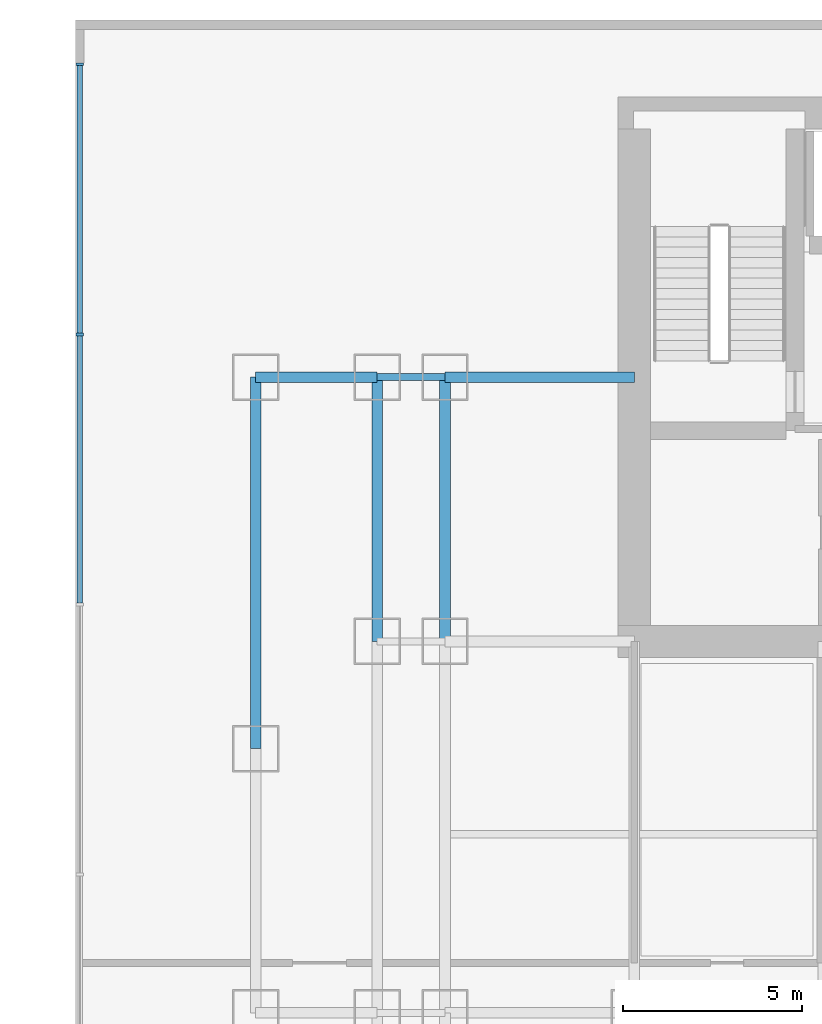
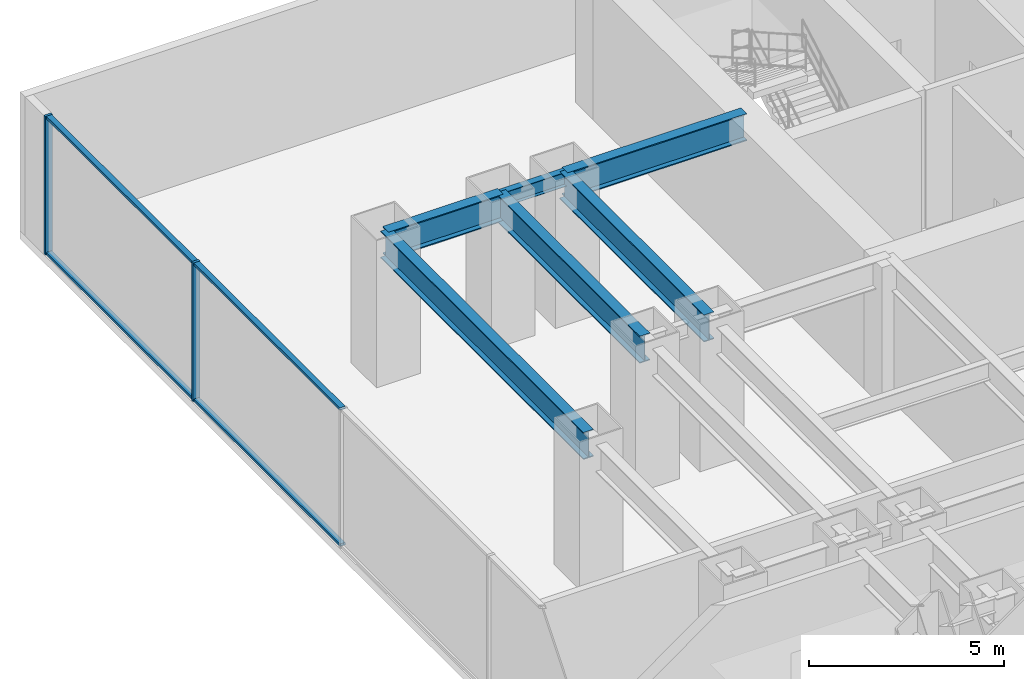
# One storey, part 5 of 13: 6 beams, 6 members, 1 element without a shape of its own.
"""IFC4 building model written with IfcOpenShell, lengths in metres."""

from ifc_helpers import new_model, si_unit, direction, frame, origin, origin_2d, place, context, subcontext, project, spatial, rectangle, i_section, extrude, source, transform, mapped, material, layer, layer_set, material_profile, profile_set, type_object, element, aggregate, save


model = new_model("IFC4")

# Units and contexts
model_context = context("Model", 3, precision=1e-05, world=origin(), true_north=direction((0.0, 1.0)))
body_context = subcontext(model_context, "Body", "Model", "MODEL_VIEW")
ifc_project = project(units=[si_unit("LENGTHUNIT", "METRE"), si_unit("AREAUNIT", "SQUARE_METRE"), si_unit("VOLUMEUNIT", "CUBIC_METRE"), si_unit("PLANEANGLEUNIT", "RADIAN"), si_unit("MASSUNIT", "GRAM", prefix="KILO")], contexts=[model_context])

# Site, building, storey
site_placement = place(None, origin())
site = spatial("IfcSite", under=ifc_project, at=site_placement, CompositionType="ELEMENT")
building_placement = place(site_placement, origin())
building = spatial("IfcBuilding", under=site, at=building_placement, Name="Qianlan Lanfeng Residences", CompositionType="ELEMENT")
storey_placement = place(building_placement, frame((0.0, 0.0, 14.39990234375)))
storey = spatial("IfcBuildingStorey", under=building, at=storey_placement, Name="L03", CompositionType="ELEMENT", Elevation=14.39990234375)

# Beams
ifc_material_1 = material(Name="Steel SN490B", Category="steel")
ifc_material_profile_1 = material_profile(ifc_material_1, i_section(OverallWidth=0.300048828125, OverallDepth=0.85009765625, WebThickness=0.01611328125, FlangeThickness=0.031982421875, at=origin_2d()), Name="H 850x300x16x32")
ifc_profile_set_1 = profile_set([ifc_material_profile_1], Name="Steel SN490B")
beam_type_1 = type_object("IfcBeamType", Name="G-1100", PredefinedType="BEAM", material=ifc_profile_set_1)
beam_1_placement = place(storey_placement, frame((0.0, 32.60009765625, 3.9150390625), z_axis=(1.0, 0.0, 0.0), x_axis=(0.0, 1.0, 0.0)))
element("IfcBeam", 1, at=beam_1_placement, inside=storey, type_object=beam_type_1, Name="Structural beam G-1100", PredefinedType="BEAM", context=body_context, shape_type="SweptSolid", body=[
    extrude(i_section(OverallWidth=0.300048828125, OverallDepth=0.85009765625, WebThickness=0.01611328125, FlangeThickness=0.031982421875, at=origin_2d()), origin(), (0.0, 0.0, 1.0), 3.39990234375),
])
beam_2_placement = place(storey_placement, frame((5.300048828125, 32.60009765625, 3.9150390625), z_axis=(1.0, 0.0, 0.0), x_axis=(0.0, 1.0, 0.0)))
element("IfcBeam", 2, at=beam_2_placement, inside=storey, type_object=beam_type_1, Name="Structural beam G-1100", PredefinedType="BEAM", context=body_context, shape_type="SweptSolid", body=[
    extrude(i_section(OverallWidth=0.300048828125, OverallDepth=0.85009765625, WebThickness=0.01611328125, FlangeThickness=0.031982421875, at=origin_2d()), origin(), (0.0, 0.0, 1.0), 5.300048828125),
])
beam_3_placement = place(storey_placement, frame((0.0, 22.199951171875, 3.9150390625), z_axis=(0.0, 1.0, 0.0), x_axis=(-1.0, 0.0, 0.0)))
element("IfcBeam", 3, at=beam_3_placement, inside=storey, type_object=beam_type_1, Name="Structural beam G-1100", PredefinedType="BEAM", context=body_context, shape_type="SweptSolid", body=[
    extrude(i_section(OverallWidth=0.300048828125, OverallDepth=0.85009765625, WebThickness=0.01611328125, FlangeThickness=0.031982421875, at=origin_2d()), origin(), (0.0, 0.0, 1.0), 10.400146484375),
])
for number, where, z_axis, x_axis, name in (
    (4, (3.39990234375, 25.199951171875, 3.9150390625), (0.0, 1.0, 0.0), (-1.0, 0.0, 0.0), "Structural beam G-1100"),
    (5, (5.300048828125, 25.199951171875, 3.9150390625), (0.0, 1.0, 0.0), (-1.0, 0.0, 0.0), "Structural beam G-1100"),
):
    element("IfcBeam", number, at=place(storey_placement, frame(where, z_axis=z_axis, x_axis=x_axis)), inside=storey, type_object=beam_type_1, Name=name, PredefinedType="BEAM", context=body_context, shape_type="SweptSolid", body=[
        extrude(i_section(OverallWidth=0.300048828125, OverallDepth=0.85009765625, WebThickness=0.01611328125, FlangeThickness=0.031982421875, at=origin_2d()), origin(), (0.0, 0.0, 1.0), 7.400146484375),
    ])
ifc_material_profile_2 = material_profile(ifc_material_1, i_section(OverallWidth=0.199951171875, OverallDepth=0.449951171875, WebThickness=0.009033203125, FlangeThickness=0.013916015625, at=origin_2d()), Name="H 450x200x9x14")
ifc_profile_set_2 = profile_set([ifc_material_profile_2], Name="Steel SN490B")
beam_type_2 = type_object("IfcBeamType", Name="J-450", PredefinedType="JOIST", material=ifc_profile_set_2)
beam_4_placement = place(storey_placement, frame((3.39990234375, 32.60009765625, 4.114990234375), z_axis=(1.0, 0.0, 0.0), x_axis=(0.0, 1.0, 0.0)))
element("IfcBeam", 6, at=beam_4_placement, inside=storey, type_object=beam_type_2, Name="Structural beam J-450", PredefinedType="JOIST", context=body_context, shape_type="SweptSolid", body=[
    extrude(i_section(OverallWidth=0.199951171875, OverallDepth=0.449951171875, WebThickness=0.009033203125, FlangeThickness=0.013916015625, at=origin_2d()), origin(), (0.0, 0.0, 1.0), 1.900146484375),
])

# Curtain wall, members
ifc_material_2 = material(Name="Anodised Bronze Aluminium 6063-T6", Category="aluminium")
ifc_layer = layer(ifc_material_2, 0.219970703125)
ifc_layer_set = layer_set([ifc_layer], Name="Anodised Bronze Aluminium 6063-T6")
curtain_wall_type = type_object("IfcCurtainWallType", Name="CW-01", PredefinedType="NOTDEFINED", material=ifc_layer_set)
curtain_wall_placement = place(storey_placement, origin())
curtain_wall = element("IfcCurtainWall", 7, at=curtain_wall_placement, inside=storey, type_object=curtain_wall_type, Name="L03 Unitised Curtain Wall CWR-L03-W (CW-01)", PredefinedType="NOTDEFINED")
ifc_material_profile_3 = material_profile(ifc_material_2, rectangle(XDim=0.080078125, YDim=0.2099609375, at=origin_2d()), Name="ALU MULLION 80x210")
ifc_profile_set_3 = profile_set([ifc_material_profile_3], Name="Anodised Bronze Aluminium 6063-T6")
member_type_1 = type_object("IfcMemberType", Name="CWM-220", PredefinedType="MULLION", material=ifc_profile_set_3)
shared_shape_1 = source(origin(), body_context, "Body", "SweptSolid", [
    extrude(rectangle(XDim=0.080078125, YDim=0.2099609375, at=origin_2d()), origin(), (0.0, 0.0, 1.0), 4.340087890625),
])
member_1_placement = place(storey_placement, frame((-4.929931640625, 41.360107421875, 0.0), z_axis=(0.0, 0.0, 1.0), x_axis=(0.0, -1.0, 0.0)))
member_1 = element("IfcMember", 8, at=member_1_placement, type_object=member_type_1, Name="CWR-L03-W Mullion 1", PredefinedType="MULLION", context=body_context, shape_type="MappedRepresentation", body=[
    mapped(shared_shape_1, transform((0.0, 0.0, 0.0), scale=1.0)),
])
member_2_placement = place(storey_placement, frame((-4.929931640625, 33.796630859375, 0.0), z_axis=(0.0, 0.0, 1.0), x_axis=(0.0, -1.0, 0.0)))
member_2 = element("IfcMember", 9, at=member_2_placement, type_object=member_type_1, Name="CWR-L03-W Mullion 2", PredefinedType="MULLION", context=body_context, shape_type="MappedRepresentation", body=[
    mapped(shared_shape_1, transform((0.0, 0.0, 0.0), scale=1.0)),
])
ifc_material_profile_4 = material_profile(ifc_material_2, rectangle(XDim=0.080078125, YDim=0.159912109375, at=origin_2d()), Name="ALU TRANSOM 80x160")
ifc_profile_set_4 = profile_set([ifc_material_profile_4], Name="Anodised Bronze Aluminium 6063-T6")
member_type_2 = type_object("IfcMemberType", Name="CWT-180", PredefinedType="USERDEFINED", material=ifc_profile_set_4)
shared_shape_2 = source(origin(), body_context, "Body", "SweptSolid", [
    extrude(rectangle(XDim=0.080078125, YDim=0.159912109375, at=origin_2d()), origin(), (0.0, 0.0, 1.0), 7.4833984375),
])
member_3_placement = place(storey_placement, frame((-4.929931640625, 41.320068359375, 0.0400390625), z_axis=(0.0, -1.0, 0.0), x_axis=(0.0, 0.0, 1.0)))
member_3 = element("IfcMember", 10, at=member_3_placement, type_object=member_type_2, Name="CWR-L03-W Transom 1-BOT", ObjectType="TRANSOM", PredefinedType="USERDEFINED", context=body_context, shape_type="MappedRepresentation", body=[
    mapped(shared_shape_2, transform((0.0, 0.0, 0.0), scale=1.0)),
])
member_4_placement = place(storey_placement, frame((-4.929931640625, 41.320068359375, 4.300048828125), z_axis=(0.0, -1.0, 0.0), x_axis=(0.0, 0.0, 1.0)))
member_4 = element("IfcMember", 11, at=member_4_placement, type_object=member_type_2, Name="CWR-L03-W Transom 1-TOP", ObjectType="TRANSOM", PredefinedType="USERDEFINED", context=body_context, shape_type="MappedRepresentation", body=[
    mapped(shared_shape_2, transform((0.0, 0.0, 0.0), scale=1.0)),
])
member_5_placement = place(storey_placement, frame((-4.929931640625, 33.756591796875, 0.0400390625), z_axis=(0.0, -1.0, 0.0), x_axis=(0.0, 0.0, 1.0)))
member_5 = element("IfcMember", 12, at=member_5_placement, type_object=member_type_2, Name="CWR-L03-W Transom 2-BOT", ObjectType="TRANSOM", PredefinedType="USERDEFINED", context=body_context, shape_type="MappedRepresentation", body=[
    mapped(shared_shape_2, transform((0.0, 0.0, 0.0), scale=1.0)),
])
member_6_placement = place(storey_placement, frame((-4.929931640625, 33.756591796875, 4.300048828125), z_axis=(0.0, -1.0, 0.0), x_axis=(0.0, 0.0, 1.0)))
member_6 = element("IfcMember", 13, at=member_6_placement, type_object=member_type_2, Name="CWR-L03-W Transom 2-TOP", ObjectType="TRANSOM", PredefinedType="USERDEFINED", context=body_context, shape_type="MappedRepresentation", body=[
    mapped(shared_shape_2, transform((0.0, 0.0, 0.0), scale=1.0)),
])
aggregate(curtain_wall, [member_1, member_2, member_3, member_4, member_5, member_6])

save(model, "model.ifc")
